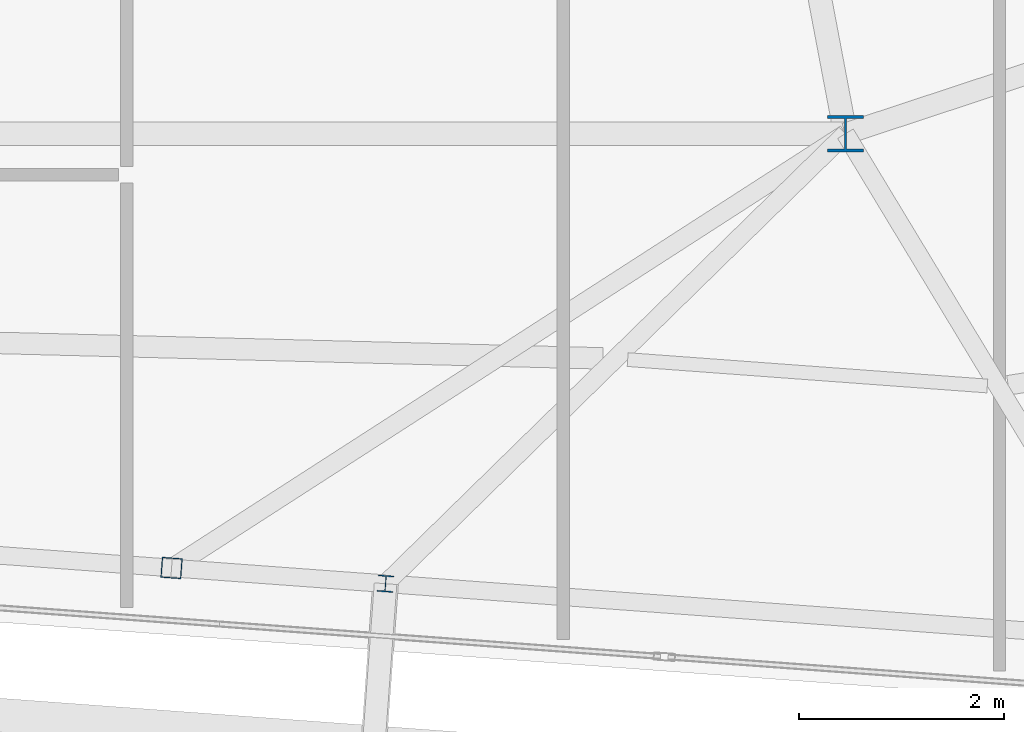
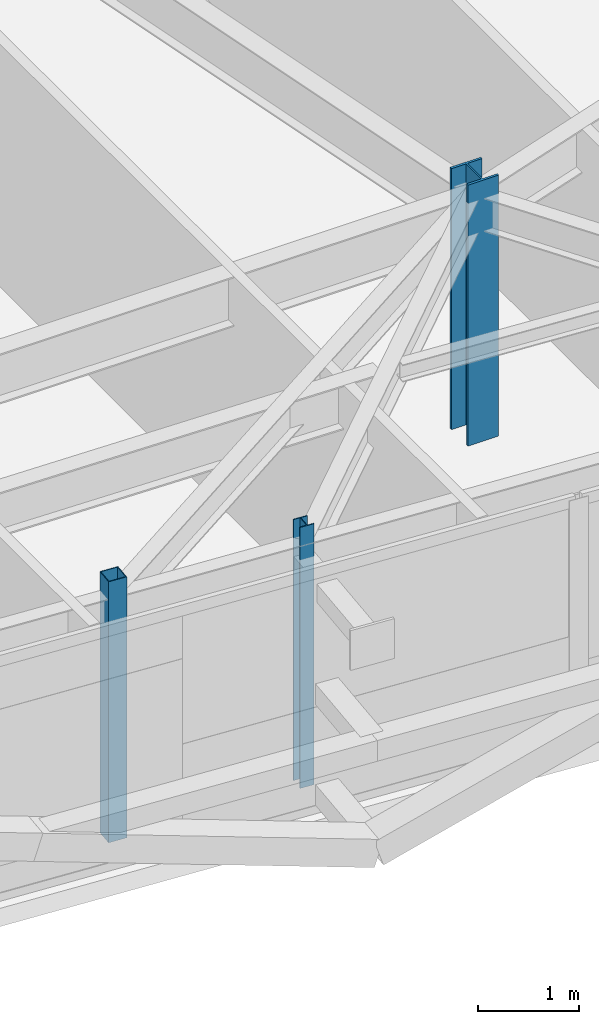
# One storey, part 2 of 34: 3 columns.
"""IFC4 building model written with IfcOpenShell, lengths in metres."""

from ifc_helpers import new_model, si_unit, direction, frame, origin, origin_2d, place, context, subcontext, project, spatial, hollow_rectangle, i_section, extrude, source, transform, mapped, material, material_profile, profile_set, type_object, element, save


model = new_model("IFC4")

# Units and contexts
model_context = context("Model", 3, precision=1e-05, world=origin(), true_north=direction((0.0, 1.0)))
body_context = subcontext(model_context, "Body", "Model", "MODEL_VIEW")
ifc_project = project(units=[si_unit("LENGTHUNIT", "METRE"), si_unit("AREAUNIT", "SQUARE_METRE"), si_unit("VOLUMEUNIT", "CUBIC_METRE"), si_unit("PLANEANGLEUNIT", "RADIAN"), si_unit("MASSUNIT", "GRAM", prefix="KILO")], contexts=[model_context])

# Site, building, storey
site_placement = place(None, origin())
site = spatial("IfcSite", under=ifc_project, at=site_placement, CompositionType="ELEMENT")
building_placement = place(site_placement, origin())
building = spatial("IfcBuilding", under=site, at=building_placement, Name="Taldren Reach Tower", CompositionType="ELEMENT")
storey_placement = place(building_placement, frame((0.0, 0.0, 239.75)))
storey = spatial("IfcBuildingStorey", under=building, at=storey_placement, Name="L73", CompositionType="ELEMENT", Elevation=239.75)

# Columns
ifc_material_1 = material(Name="Steel Gr 350 (350PLUS)", Category="steel")
ifc_material_profile_1 = material_profile(ifc_material_1, i_section(OverallWidth=0.35009765625, OverallDepth=0.35595703125, WebThickness=0.01806640625, FlangeThickness=0.028076171875, at=origin_2d()), Name="350WC197")
ifc_profile_set_1 = profile_set([ifc_material_profile_1], Name="Steel Gr 350 (350PLUS)")
column_type_1 = type_object("IfcColumnType", Name="COL-WC350", PredefinedType="COLUMN", material=ifc_profile_set_1)
shared_shape_1 = source(origin(), body_context, "Body", "SweptSolid", [
    extrude(i_section(OverallWidth=0.35009765625, OverallDepth=0.35595703125, WebThickness=0.01806640625, FlangeThickness=0.028076171875, at=origin_2d()), origin(), (0.0, 0.0, 1.0), 3.14990234375),
])
column_1_placement = place(storey_placement, frame((42.0, 9.199951171875, 0.0), z_axis=(0.0, 0.0, 1.0), x_axis=(1.0, 0.0, 0.0)))
element("IfcColumn", 1, at=column_1_placement, inside=storey, type_object=column_type_1, Name="Mega column MC-PJE L73", PredefinedType="COLUMN", context=body_context, shape_type="MappedRepresentation", body=[
    mapped(shared_shape_1, transform((0.0, 0.0, 0.0), scale=1.0)),
])
ifc_material_2 = material(Name="Steel Gr 350 (C350L0)", Category="steel")
ifc_material_profile_2 = material_profile(ifc_material_2, hollow_rectangle(XDim=0.199951171875, YDim=0.199951171875, WallThickness=0.009033203125, at=origin_2d()), Name="200x200x9.0SHS")
ifc_profile_set_2 = profile_set([ifc_material_profile_2], Name="Steel Gr 350 (C350L0)")
column_type_2 = type_object("IfcColumnType", Name="COL-SHS200", PredefinedType="COLUMN", material=ifc_profile_set_2)
shared_shape_2 = source(origin(), body_context, "Body", "SweptSolid", [
    extrude(hollow_rectangle(XDim=0.199951171875, YDim=0.199951171875, WallThickness=0.009033203125, at=origin_2d()), origin(), (0.0, 0.0, 1.0), 3.14990234375),
])
column_2_placement = place(storey_placement, frame((35.43603515625, 4.9697265625, 0.0), z_axis=(0.0, 0.0, 1.0), x_axis=(0.997314477224, -0.073238197128, 0.0)))
element("IfcColumn", 2, at=column_2_placement, inside=storey, type_object=column_type_2, Name="Block B5 perimeter column PJ2 L73", PredefinedType="COLUMN", context=body_context, shape_type="MappedRepresentation", body=[
    mapped(shared_shape_2, transform((0.0, 0.0, 0.0), scale=1.0)),
])
ifc_material_profile_3 = material_profile(ifc_material_1, i_section(OverallWidth=0.154052734375, OverallDepth=0.162109375, WebThickness=0.008056640625, FlangeThickness=0.011474609375, at=origin_2d()), Name="150UC37.2")
ifc_profile_set_3 = profile_set([ifc_material_profile_3], Name="Steel Gr 350 (350PLUS)")
column_type_3 = type_object("IfcColumnType", Name="COL-UC150", PredefinedType="COLUMN", material=ifc_profile_set_3)
shared_shape_3 = source(origin(), body_context, "Body", "SweptSolid", [
    extrude(i_section(OverallWidth=0.154052734375, OverallDepth=0.162109375, WebThickness=0.008056640625, FlangeThickness=0.011474609375, at=origin_2d()), origin(), (0.0, 0.0, 1.0), 3.14990234375),
])
column_3_placement = place(storey_placement, frame((37.5205078125, 4.81689453125, 0.0), z_axis=(0.0, 0.0, 1.0), x_axis=(0.997314477224, -0.073238197128, 0.0)))
element("IfcColumn", 3, at=column_3_placement, inside=storey, type_object=column_type_3, Name="Block B5 perimeter column S4 L73", PredefinedType="COLUMN", context=body_context, shape_type="MappedRepresentation", body=[
    mapped(shared_shape_3, transform((0.0, 0.0, 0.0), scale=1.0)),
])

save(model, "model.ifc")
